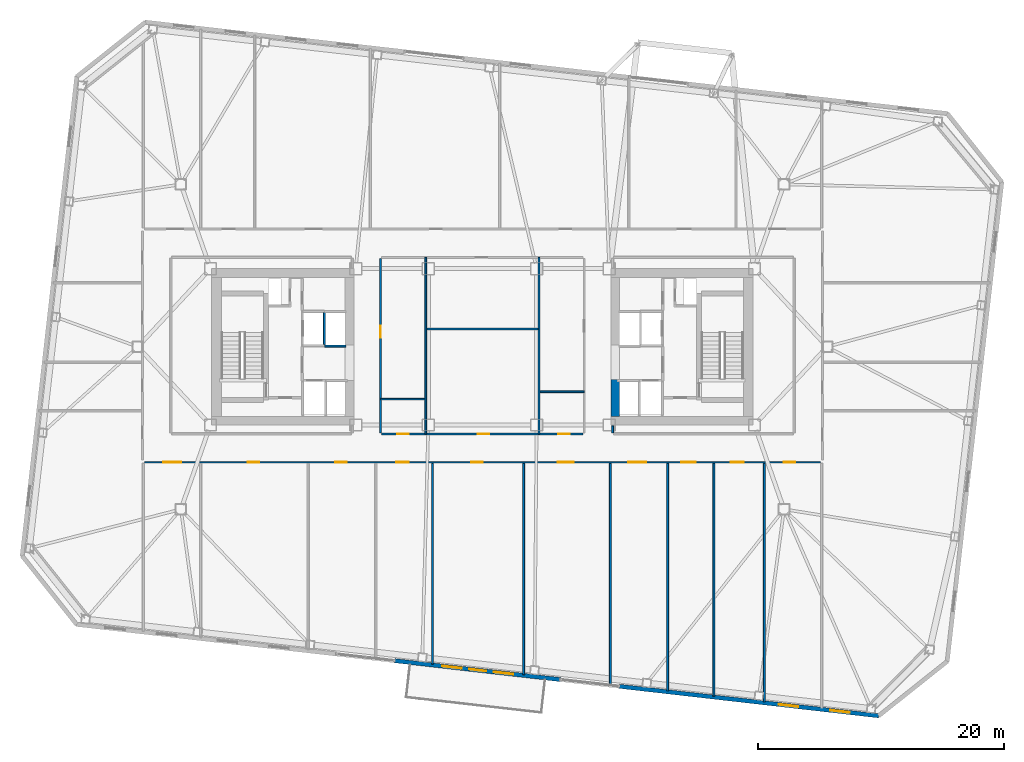
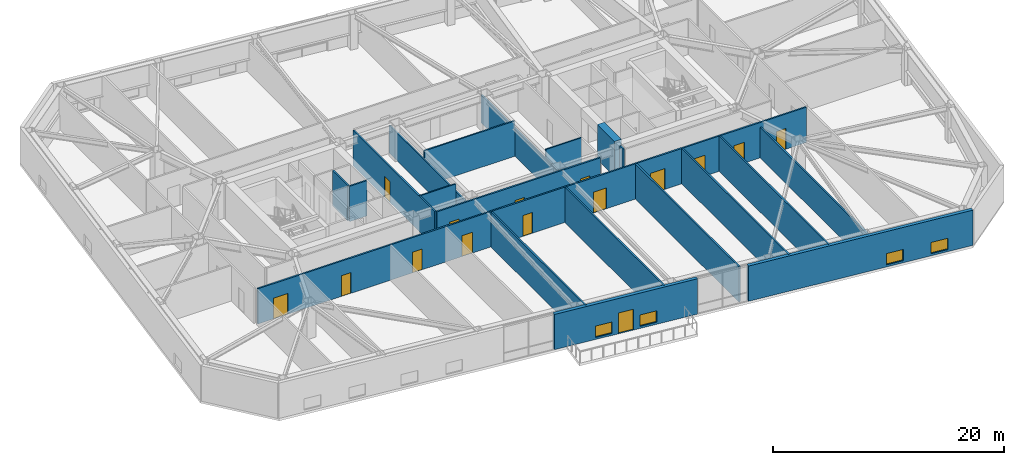
# One storey, part 12 of 21: 20 walls, 15 doors, 4 windows, 19 openings.
"""IFC4 building model written with IfcOpenShell, lengths in metres."""

from ifc_helpers import new_model, si_unit, direction, frame, frame_2d, origin, place, context, subcontext, project, spatial, rectangle, extrude, material, layer, layer_set, type_object, element, fill, save


model = new_model("IFC4")

# Units and contexts
model_context = context("Model", 3, precision=1e-05, world=origin(), true_north=direction((0.0, 1.0)))
body_context = subcontext(model_context, "Body", "Model", "MODEL_VIEW")
ifc_project = project(units=[si_unit("LENGTHUNIT", "METRE"), si_unit("AREAUNIT", "SQUARE_METRE"), si_unit("VOLUMEUNIT", "CUBIC_METRE"), si_unit("PLANEANGLEUNIT", "RADIAN"), si_unit("MASSUNIT", "GRAM", prefix="KILO")], contexts=[model_context])

# Site, building, storey
site_placement = place(None, origin())
site = spatial("IfcSite", under=ifc_project, at=site_placement, CompositionType="ELEMENT")
building_placement = place(site_placement, origin())
building = spatial("IfcBuilding", under=site, at=building_placement, Name="Tavrogorsk Clinical Tower", CompositionType="ELEMENT")
storey_placement = place(building_placement, frame((0.0, 0.0, 109.39990234375)))
storey = spatial("IfcBuildingStorey", under=building, at=storey_placement, Name="L24", CompositionType="ELEMENT", Elevation=109.39990234375)

# Walls
ifc_material_1 = material(Name="Lightweight concrete blockwork B15", Category="masonry")
ifc_layer_1 = layer(ifc_material_1, 0.139892578125)
ifc_layer_set_1 = layer_set([ifc_layer_1], Name="Lightweight concrete blockwork B15")
wall_type_1 = type_object("IfcWallType", Name="PartitionWall_140", PredefinedType="PARTITIONING", material=ifc_layer_set_1)
for number, where, z_axis, x_axis, name in (
    (1, (-4.60009765625, -7.06494140625, 0.0), (0.0, 0.0, 1.0), (0.0, 1.0, 0.0), "L24 Central Spine Partition 1"),
    (2, (4.60009765625, -7.06494140625, 0.0), (0.0, 0.0, 1.0), (0.0, 1.0, 0.0), "L24 Central Spine Partition 2"),
):
    element("IfcWall", number, at=place(storey_placement, frame(where, z_axis=z_axis, x_axis=x_axis)), inside=storey, type_object=wall_type_1, Name=name, PredefinedType="PARTITIONING", context=body_context, shape_type="SweptSolid", body=[
        extrude(rectangle(XDim=14.329833984375, YDim=0.139892578125, at=frame_2d((7.1650390625, 0.0))), origin(), (0.0, 0.0, 1.0), 2.93505859375),
    ])
wall_1_placement = place(storey_placement, frame((-4.52490234375, 1.449951171875, 0.0), z_axis=(0.0, 0.0, 1.0), x_axis=(1.0, 0.0, 0.0)))
element("IfcWall", 3, at=wall_1_placement, inside=storey, type_object=wall_type_1, Name="L24 Central Spine Partition 3", PredefinedType="PARTITIONING", context=body_context, shape_type="SweptSolid", body=[
    extrude(rectangle(XDim=9.0498046875, YDim=0.139892578125, at=frame_2d((4.52490234375, 0.0))), origin(), (0.0, 0.0, 1.0), 3.739990234375),
])
for number, where, z_axis, x_axis, name in (
    (4, (-8.264892578125, -4.25, 0.0), (0.0, 0.0, 1.0), (1.0, 0.0, 0.0), "L24 Central Spine Partition 4"),
    (5, (4.675048828125, -3.64990234375, 0.0), (0.0, 0.0, 1.0), (1.0, 0.0, 0.0), "L24 Central Spine Partition 5"),
):
    element("IfcWall", number, at=place(storey_placement, frame(where, z_axis=z_axis, x_axis=x_axis)), inside=storey, type_object=wall_type_1, Name=name, PredefinedType="PARTITIONING", context=body_context, shape_type="SweptSolid", body=[
        extrude(rectangle(XDim=3.58984375, YDim=0.139892578125, at=frame_2d((1.794921875, 0.0))), origin(), (0.0, 0.0, 1.0), 3.739990234375),
    ])

# Wall, openings, doors
ifc_material_2 = material(Name="Lightweight concrete blockwork B15", Category="masonry")
ifc_layer_2 = layer(ifc_material_2, 0.159912109375)
ifc_layer_set_2 = layer_set([ifc_layer_2], Name="Lightweight concrete blockwork B15")
wall_type_2 = type_object("IfcWallType", Name="PartitionWall_160", PredefinedType="PARTITIONING", material=ifc_layer_set_2)
wall_2_placement = place(storey_placement, frame((27.465087890625, -9.3798828125, 0.0), z_axis=(0.0, 0.0, 1.0), x_axis=(-1.0, 0.0, 0.0)))
wall_2 = element("IfcWall", 6, at=wall_2_placement, inside=storey, type_object=wall_type_2, Name="L24 Corridor Partition 04", PredefinedType="PARTITIONING", context=body_context, shape_type="SweptSolid", body=[
    extrude(rectangle(XDim=54.93017578125, YDim=0.159912109375, at=frame_2d((27.465087890625, 0.0))), origin(), (0.0, 0.0, 1.0), 3.739990234375),
])
opening_1_placement = place(wall_2_placement, frame((51.930908203125, 0.0, 0.0)))
opening_1 = element("IfcOpeningElement", 7, at=opening_1_placement, cuts=wall_2, Name="Opening ID-05", PredefinedType="OPENING", context=body_context, shape_type="SweptSolid", body=[
    extrude(rectangle(XDim=1.449951171875, YDim=2.199951171875, at=frame_2d((0.72509765625, 1.10009765625))), frame((0.0, 0.08984375, 0.0), z_axis=(0.0, -1.0, 0.0), x_axis=(1.0, 0.0, 0.0)), (0.0, 0.0, 1.0), 0.179931640625),
])
opening_2_placement = place(wall_2_placement, frame((45.60498046875, 0.0, 0.0)))
opening_2 = element("IfcOpeningElement", 8, at=opening_2_placement, cuts=wall_2, Name="Opening ID-02", PredefinedType="OPENING", context=body_context, shape_type="SweptSolid", body=[
    extrude(rectangle(XDim=0.949951171875, YDim=2.199951171875, at=frame_2d((0.47509765625, 1.10009765625))), frame((0.0, 0.08984375, 0.0), z_axis=(0.0, -1.0, 0.0), x_axis=(1.0, 0.0, 0.0)), (0.0, 0.0, 1.0), 0.179931640625),
])
opening_3_placement = place(wall_2_placement, frame((38.485107421875, 0.0, 0.0)))
opening_3 = element("IfcOpeningElement", 9, at=opening_3_placement, cuts=wall_2, Name="Opening ID-02", PredefinedType="OPENING", context=body_context, shape_type="SweptSolid", body=[
    extrude(rectangle(XDim=0.949951171875, YDim=2.199951171875, at=frame_2d((0.47509765625, 1.10009765625))), frame((0.0, 0.08984375, 0.0), z_axis=(0.0, -1.0, 0.0), x_axis=(1.0, 0.0, 0.0)), (0.0, 0.0, 1.0), 0.179931640625),
])
opening_4_placement = place(wall_2_placement, frame((33.43505859375, 0.0, 0.0)))
opening_4 = element("IfcOpeningElement", 10, at=opening_4_placement, cuts=wall_2, Name="Opening ID-04", PredefinedType="OPENING", context=body_context, shape_type="SweptSolid", body=[
    extrude(rectangle(XDim=1.050048828125, YDim=2.199951171875, at=frame_2d((0.52490234375, 1.10009765625))), frame((0.0, 0.08984375, 0.0), z_axis=(0.0, -1.0, 0.0), x_axis=(1.0, 0.0, 0.0)), (0.0, 0.0, 1.0), 0.179931640625),
])
opening_5_placement = place(wall_2_placement, frame((27.43505859375, 0.0, 0.0)))
opening_5 = element("IfcOpeningElement", 11, at=opening_5_placement, cuts=wall_2, Name="Opening ID-02", PredefinedType="OPENING", context=body_context, shape_type="SweptSolid", body=[
    extrude(rectangle(XDim=0.949951171875, YDim=2.199951171875, at=frame_2d((0.47509765625, 1.10009765625))), frame((0.0, 0.08984375, 0.0), z_axis=(0.0, -1.0, 0.0), x_axis=(1.0, 0.0, 0.0)), (0.0, 0.0, 1.0), 0.179931640625),
])
opening_6_placement = place(wall_2_placement, frame((20.030029296875, 0.0, 0.0)))
opening_6 = element("IfcOpeningElement", 12, at=opening_6_placement, cuts=wall_2, Name="Opening ID-01", PredefinedType="OPENING", context=body_context, shape_type="SweptSolid", body=[
    extrude(rectangle(XDim=1.300048828125, YDim=2.199951171875, at=frame_2d((0.64990234375, 1.10009765625))), frame((0.0, 0.08984375, 0.0), z_axis=(0.0, -1.0, 0.0), x_axis=(1.0, 0.0, 0.0)), (0.0, 0.0, 1.0), 0.179931640625),
])
opening_7_placement = place(wall_2_placement, frame((14.175048828125, 0.0, 0.0)))
opening_7 = element("IfcOpeningElement", 13, at=opening_7_placement, cuts=wall_2, Name="Opening ID-05", PredefinedType="OPENING", context=body_context, shape_type="SweptSolid", body=[
    extrude(rectangle(XDim=1.449951171875, YDim=2.199951171875, at=frame_2d((0.72509765625, 1.10009765625))), frame((0.0, 0.08984375, 0.0), z_axis=(0.0, -1.0, 0.0), x_axis=(1.0, 0.0, 0.0)), (0.0, 0.0, 1.0), 0.179931640625),
])
opening_8_placement = place(wall_2_placement, frame((10.14990234375, 0.0, 0.0)))
opening_8 = element("IfcOpeningElement", 14, at=opening_8_placement, cuts=wall_2, Name="Opening ID-06", PredefinedType="OPENING", context=body_context, shape_type="SweptSolid", body=[
    extrude(rectangle(XDim=1.14990234375, YDim=2.199951171875, at=frame_2d((0.574951171875, 1.10009765625))), frame((0.0, 0.08984375, 0.0), z_axis=(0.0, -1.0, 0.0), x_axis=(1.0, 0.0, 0.0)), (0.0, 0.0, 1.0), 0.179931640625),
])
opening_9_placement = place(wall_2_placement, frame((6.22509765625, 0.0, 0.0)))
opening_9 = element("IfcOpeningElement", 15, at=opening_9_placement, cuts=wall_2, Name="Opening ID-04", PredefinedType="OPENING", context=body_context, shape_type="SweptSolid", body=[
    extrude(rectangle(XDim=1.050048828125, YDim=2.199951171875, at=frame_2d((0.52490234375, 1.10009765625))), frame((0.0, 0.08984375, 0.0), z_axis=(0.0, -1.0, 0.0), x_axis=(1.0, 0.0, 0.0)), (0.0, 0.0, 1.0), 0.179931640625),
])
opening_10_placement = place(wall_2_placement, frame((2.044189453125, 0.0, 0.0)))
opening_10 = element("IfcOpeningElement", 16, at=opening_10_placement, cuts=wall_2, Name="Opening ID-02", PredefinedType="OPENING", context=body_context, shape_type="SweptSolid", body=[
    extrude(rectangle(XDim=0.949951171875, YDim=2.199951171875, at=frame_2d((0.47509765625, 1.10009765625))), frame((0.0, 0.08984375, 0.0), z_axis=(0.0, -1.0, 0.0), x_axis=(1.0, 0.0, 0.0)), (0.0, 0.0, 1.0), 0.179931640625),
])
ifc_material_3 = material(Name="Antibacterial HPL consultation door on aluminium frame", Category="aluminium")
door_type_1 = type_object("IfcDoorType", Name="ConsultDoor_ID04_1050", OperationType="NOTDEFINED", PredefinedType="DOOR", material=ifc_material_3)
door_1_placement = place(opening_4_placement, origin())
door_1 = element("IfcDoor", 17, at=door_1_placement, inside=storey, type_object=door_type_1, Name="L24 South Cardiology Diagnostics Room 03B Door", OperationType="SINGLE_SWING_LEFT", OverallHeight=2.199951171875, OverallWidth=1.050048828125, PredefinedType="DOOR", context=body_context, shape_type="SweptSolid", body=[
    extrude(rectangle(XDim=1.050048828125, YDim=2.199951171875, at=frame_2d((0.52490234375, 1.10009765625))), frame((0.0, 0.02490234375, 0.0), z_axis=(0.0, -1.0, 0.0), x_axis=(1.0, 0.0, 0.0)), (0.0, 0.0, 1.0), 0.050048828125),
])
fill(opening_4, door_1)
door_2_placement = place(opening_9_placement, origin())
door_2 = element("IfcDoor", 18, at=door_2_placement, inside=storey, type_object=door_type_1, Name="L24 South Soiled Utility & Sluice Room 07 Door", OperationType="SINGLE_SWING_RIGHT", OverallHeight=2.199951171875, OverallWidth=1.050048828125, PredefinedType="DOOR", context=body_context, shape_type="SweptSolid", body=[
    extrude(rectangle(XDim=1.050048828125, YDim=2.199951171875, at=frame_2d((0.52490234375, 1.10009765625))), frame((0.0, 0.02490234375, 0.0), z_axis=(0.0, -1.0, 0.0), x_axis=(1.0, 0.0, 0.0)), (0.0, 0.0, 1.0), 0.050048828125),
])
fill(opening_9, door_2)
ifc_material_4 = material(Name="Antibacterial HPL bariatric ward double door")
door_type_2 = type_object("IfcDoorType", Name="DoubleWardDoor_ID05_1450", OperationType="DOUBLE_SWING_LEFT", PredefinedType="DOOR", material=ifc_material_4)
door_3_placement = place(opening_1_placement, origin())
door_3 = element("IfcDoor", 19, at=door_3_placement, inside=storey, type_object=door_type_2, Name="L24 South Surgical Step-Down Ward 01 Door", OperationType="DOUBLE_SWING_LEFT", OverallHeight=2.199951171875, OverallWidth=1.449951171875, PredefinedType="DOOR", context=body_context, shape_type="SweptSolid", body=[
    extrude(rectangle(XDim=1.449951171875, YDim=2.199951171875, at=frame_2d((0.72509765625, 1.10009765625))), frame((0.0, 0.02490234375, 0.0), z_axis=(0.0, -1.0, 0.0), x_axis=(1.0, 0.0, 0.0)), (0.0, 0.0, 1.0), 0.050048828125),
])
fill(opening_1, door_3)
door_4_placement = place(opening_7_placement, origin())
door_4 = element("IfcDoor", 20, at=door_4_placement, inside=storey, type_object=door_type_2, Name="L24 South Surgical Step-Down Ward 06A Door", OperationType="DOUBLE_SWING_LEFT", OverallHeight=2.199951171875, OverallWidth=1.449951171875, PredefinedType="DOOR", context=body_context, shape_type="SweptSolid", body=[
    extrude(rectangle(XDim=1.449951171875, YDim=2.199951171875, at=frame_2d((0.72509765625, 1.10009765625))), frame((0.0, 0.02490234375, 0.0), z_axis=(0.0, -1.0, 0.0), x_axis=(1.0, 0.0, 0.0)), (0.0, 0.0, 1.0), 0.050048828125),
])
fill(opening_7, door_4)
ifc_material_5 = material(Name="Laminated timber leaf on aluminium frame", Category="wood")
door_type_3 = type_object("IfcDoorType", Name="InteriorDoor_ID02_950", OperationType="NOTDEFINED", PredefinedType="DOOR", material=ifc_material_5)
door_5_placement = place(opening_2_placement, origin())
door_5 = element("IfcDoor", 21, at=door_5_placement, inside=storey, type_object=door_type_3, Name="L24 South Soiled Utility & Sluice Room 02 Door", OperationType="SINGLE_SWING_LEFT", OverallHeight=2.199951171875, OverallWidth=0.949951171875, PredefinedType="DOOR", context=body_context, shape_type="SweptSolid", body=[
    extrude(rectangle(XDim=0.949951171875, YDim=2.199951171875, at=frame_2d((0.47509765625, 1.10009765625))), frame((0.0, 0.02490234375, 0.0), z_axis=(0.0, -1.0, 0.0), x_axis=(1.0, 0.0, 0.0)), (0.0, 0.0, 1.0), 0.050048828125),
])
fill(opening_2, door_5)
door_6_placement = place(opening_3_placement, origin())
door_6 = element("IfcDoor", 22, at=door_6_placement, inside=storey, type_object=door_type_3, Name="L24 South Clinical Case Seminar Room 03A Door", OperationType="SINGLE_SWING_RIGHT", OverallHeight=2.199951171875, OverallWidth=0.949951171875, PredefinedType="DOOR", context=body_context, shape_type="SweptSolid", body=[
    extrude(rectangle(XDim=0.949951171875, YDim=2.199951171875, at=frame_2d((0.47509765625, 1.10009765625))), frame((0.0, 0.02490234375, 0.0), z_axis=(0.0, -1.0, 0.0), x_axis=(1.0, 0.0, 0.0)), (0.0, 0.0, 1.0), 0.050048828125),
])
fill(opening_3, door_6)
door_7_placement = place(opening_5_placement, origin())
door_7 = element("IfcDoor", 23, at=door_7_placement, inside=storey, type_object=door_type_3, Name="L24 Terrace Recuperation Day Room & Lounge Door", OperationType="SINGLE_SWING_RIGHT", OverallHeight=2.199951171875, OverallWidth=0.949951171875, PredefinedType="DOOR", context=body_context, shape_type="SweptSolid", body=[
    extrude(rectangle(XDim=0.949951171875, YDim=2.199951171875, at=frame_2d((0.47509765625, 1.10009765625))), frame((0.0, 0.02490234375, 0.0), z_axis=(0.0, -1.0, 0.0), x_axis=(1.0, 0.0, 0.0)), (0.0, 0.0, 1.0), 0.050048828125),
])
fill(opening_5, door_7)
door_8_placement = place(opening_10_placement, origin())
door_8 = element("IfcDoor", 24, at=door_8_placement, inside=storey, type_object=door_type_3, Name="L24 South Clinical Case Seminar Room 08 Door", OperationType="SINGLE_SWING_LEFT", OverallHeight=2.199951171875, OverallWidth=0.949951171875, PredefinedType="DOOR", context=body_context, shape_type="SweptSolid", body=[
    extrude(rectangle(XDim=0.949951171875, YDim=2.199951171875, at=frame_2d((0.47509765625, 1.10009765625))), frame((0.0, 0.02490234375, 0.0), z_axis=(0.0, -1.0, 0.0), x_axis=(1.0, 0.0, 0.0)), (0.0, 0.0, 1.0), 0.050048828125),
])
fill(opening_10, door_8)
ifc_material_6 = material(Name="Antibacterial HPL procedure door on aluminium frame", Category="aluminium")
door_type_4 = type_object("IfcDoorType", Name="LabDoor_ID06_1150", OperationType="NOTDEFINED", PredefinedType="DOOR", material=ifc_material_6)
door_9_placement = place(opening_8_placement, origin())
door_9 = element("IfcDoor", 25, at=door_9_placement, inside=storey, type_object=door_type_4, Name="L24 South Clean Medication & Prep Room 06B Door", OperationType="SINGLE_SWING_LEFT", OverallHeight=2.199951171875, OverallWidth=1.14990234375, PredefinedType="DOOR", context=body_context, shape_type="SweptSolid", body=[
    extrude(rectangle(XDim=1.14990234375, YDim=2.199951171875, at=frame_2d((0.574951171875, 1.10009765625))), frame((0.0, 0.02490234375, 0.0), z_axis=(0.0, -1.0, 0.0), x_axis=(1.0, 0.0, 0.0)), (0.0, 0.0, 1.0), 0.050048828125),
])
fill(opening_8, door_9)
ifc_material_7 = material(Name="Antibacterial HPL medical leaf on aluminium frame", Category="aluminium")
door_type_5 = type_object("IfcDoorType", Name="WardBedDoor_ID01_1300", OperationType="NOTDEFINED", PredefinedType="DOOR", material=ifc_material_7)
door_10_placement = place(opening_6_placement, origin())
door_10 = element("IfcDoor", 26, at=door_10_placement, inside=storey, type_object=door_type_5, Name="L24 South Bariatric Observation Ward 05 Door", OperationType="SINGLE_SWING_LEFT", OverallHeight=2.199951171875, OverallWidth=1.300048828125, PredefinedType="DOOR", context=body_context, shape_type="SweptSolid", body=[
    extrude(rectangle(XDim=1.300048828125, YDim=2.199951171875, at=frame_2d((0.64990234375, 1.10009765625))), frame((0.0, 0.02490234375, 0.0), z_axis=(0.0, -1.0, 0.0), x_axis=(1.0, 0.0, 0.0)), (0.0, 0.0, 1.0), 0.050048828125),
])
fill(opening_6, door_10)

# Wall
wall_3_placement = place(storey_placement, frame((10.580078125, -6.419921875, 0.0), z_axis=(0.0, 0.0, 1.0), x_axis=(0.0, -1.0, 0.0)))
element("IfcWall", 27, at=wall_3_placement, inside=storey, type_object=wall_type_2, Name="L24 Corridor Partition 07", PredefinedType="PARTITIONING", context=body_context, shape_type="SweptSolid", body=[
    extrude(rectangle(XDim=0.565185546875, YDim=0.159912109375, at=frame_2d((0.28271484375, 0.0))), origin(), (0.0, 0.0, 1.0), 3.739990234375),
])

# Wall, opening, door
wall_4_placement = place(storey_placement, frame((-8.27001953125, 7.18505859375, 0.0), z_axis=(0.0, 0.0, 1.0), x_axis=(0.0, -1.0, 0.0)))
wall_4 = element("IfcWall", 28, at=wall_4_placement, inside=storey, type_object=wall_type_2, Name="L24 Corridor Partition 12", PredefinedType="PARTITIONING", context=body_context, shape_type="SweptSolid", body=[
    extrude(rectangle(XDim=14.170166015625, YDim=0.159912109375, at=frame_2d((7.0849609375, 0.0))), origin(), (0.0, 0.0, 1.0), 3.739990234375),
])
opening_11_placement = place(wall_4_placement, frame((5.47900390625, 0.0, 0.0)))
opening_11 = element("IfcOpeningElement", 29, at=opening_11_placement, cuts=wall_4, Name="Opening ID-02", PredefinedType="OPENING", context=body_context, shape_type="SweptSolid", body=[
    extrude(rectangle(XDim=0.949951171875, YDim=2.199951171875, at=frame_2d((0.47509765625, 1.10009765625))), frame((0.0, 0.08984375, 0.0), z_axis=(0.0, -1.0, 0.0), x_axis=(1.0, 0.0, 0.0)), (0.0, 0.0, 1.0), 0.179931640625),
])
door_11_placement = place(opening_11_placement, origin())
door_11 = element("IfcDoor", 30, at=door_11_placement, inside=storey, type_object=door_type_3, Name="L24 Ward Nourishment Pantry Door", OperationType="SINGLE_SWING_LEFT", OverallHeight=2.199951171875, OverallWidth=0.949951171875, PredefinedType="DOOR", context=body_context, shape_type="SweptSolid", body=[
    extrude(rectangle(XDim=0.949951171875, YDim=2.199951171875, at=frame_2d((0.47509765625, 1.10009765625))), frame((0.0, 0.02490234375, 0.0), z_axis=(0.0, -1.0, 0.0), x_axis=(1.0, 0.0, 0.0)), (0.0, 0.0, 1.0), 0.050048828125),
])
fill(opening_11, door_11)

# Wall, openings, doors
wall_5_placement = place(storey_placement, frame((-8.18505859375, -7.070068359375, 0.0), z_axis=(0.0, 0.0, 1.0), x_axis=(1.0, 0.0, 0.0)))
wall_5 = element("IfcWall", 31, at=wall_5_placement, inside=storey, type_object=wall_type_2, Name="L24 Corridor Partition 13", PredefinedType="PARTITIONING", context=body_context, shape_type="SweptSolid", body=[
    extrude(rectangle(XDim=16.3701171875, YDim=0.159912109375, at=frame_2d((8.18505859375, 0.0))), origin(), (0.0, 0.0, 1.0), 3.739990234375),
])
opening_12_placement = place(wall_5_placement, frame((1.254150390625, 0.0, 0.0)))
opening_12 = element("IfcOpeningElement", 32, at=opening_12_placement, cuts=wall_5, Name="Opening ID-02", PredefinedType="OPENING", context=body_context, shape_type="SweptSolid", body=[
    extrude(rectangle(XDim=0.949951171875, YDim=2.199951171875, at=frame_2d((0.47509765625, 1.10009765625))), frame((0.0, 0.08984375, 0.0), z_axis=(0.0, -1.0, 0.0), x_axis=(1.0, 0.0, 0.0)), (0.0, 0.0, 1.0), 0.179931640625),
])
opening_13_placement = place(wall_5_placement, frame((7.794921875, 0.0, 0.0)))
opening_13 = element("IfcOpeningElement", 33, at=opening_13_placement, cuts=wall_5, Name="Opening ID-02", PredefinedType="OPENING", context=body_context, shape_type="SweptSolid", body=[
    extrude(rectangle(XDim=0.949951171875, YDim=2.199951171875, at=frame_2d((0.47509765625, 1.10009765625))), frame((0.0, 0.08984375, 0.0), z_axis=(0.0, -1.0, 0.0), x_axis=(1.0, 0.0, 0.0)), (0.0, 0.0, 1.0), 0.179931640625),
])
opening_14_placement = place(wall_5_placement, frame((14.3359375, 0.0, 0.0)))
opening_14 = element("IfcOpeningElement", 34, at=opening_14_placement, cuts=wall_5, Name="Opening ID-02", PredefinedType="OPENING", context=body_context, shape_type="SweptSolid", body=[
    extrude(rectangle(XDim=0.949951171875, YDim=2.199951171875, at=frame_2d((0.47509765625, 1.10009765625))), frame((0.0, 0.08984375, 0.0), z_axis=(0.0, -1.0, 0.0), x_axis=(1.0, 0.0, 0.0)), (0.0, 0.0, 1.0), 0.179931640625),
])
door_12_placement = place(opening_12_placement, origin())
door_12 = element("IfcDoor", 35, at=door_12_placement, inside=storey, type_object=door_type_3, Name="L24 Accessible Patient Lavatory Door", OperationType="SINGLE_SWING_RIGHT", OverallHeight=2.199951171875, OverallWidth=0.949951171875, PredefinedType="DOOR", context=body_context, shape_type="SweptSolid", body=[
    extrude(rectangle(XDim=0.949951171875, YDim=2.199951171875, at=frame_2d((0.47509765625, 1.10009765625))), frame((0.0, 0.02490234375, 0.0), z_axis=(0.0, -1.0, 0.0), x_axis=(1.0, 0.0, 0.0)), (0.0, 0.0, 1.0), 0.050048828125),
])
fill(opening_12, door_12)
door_13_placement = place(opening_13_placement, origin())
door_13 = element("IfcDoor", 36, at=door_13_placement, inside=storey, type_object=door_type_3, Name="L24 Multidisciplinary Conference Room Door", OperationType="SINGLE_SWING_RIGHT", OverallHeight=2.199951171875, OverallWidth=0.949951171875, PredefinedType="DOOR", context=body_context, shape_type="SweptSolid", body=[
    extrude(rectangle(XDim=0.949951171875, YDim=2.199951171875, at=frame_2d((0.47509765625, 1.10009765625))), frame((0.0, 0.02490234375, 0.0), z_axis=(0.0, -1.0, 0.0), x_axis=(1.0, 0.0, 0.0)), (0.0, 0.0, 1.0), 0.050048828125),
])
fill(opening_13, door_13)
door_14_placement = place(opening_14_placement, origin())
door_14 = element("IfcDoor", 37, at=door_14_placement, inside=storey, type_object=door_type_3, Name="L24 Staff & Visitor Accessible WC Door", OperationType="SINGLE_SWING_RIGHT", OverallHeight=2.199951171875, OverallWidth=0.949951171875, PredefinedType="DOOR", context=body_context, shape_type="SweptSolid", body=[
    extrude(rectangle(XDim=0.949951171875, YDim=2.199951171875, at=frame_2d((0.47509765625, 1.10009765625))), frame((0.0, 0.02490234375, 0.0), z_axis=(0.0, -1.0, 0.0), x_axis=(1.0, 0.0, 0.0)), (0.0, 0.0, 1.0), 0.050048828125),
])
fill(opening_14, door_14)

# Walls
wall_6_placement = place(storey_placement, frame((-4.06005859375, -25.782958984375, 0.0), z_axis=(0.0, 0.0, 1.0), x_axis=(0.0, 1.0, 0.0)))
element("IfcWall", 38, at=wall_6_placement, inside=storey, type_object=wall_type_2, Name="L24 South Room Partition 3", PredefinedType="PARTITIONING", context=body_context, shape_type="SweptSolid", body=[
    extrude(rectangle(XDim=16.31787109375, YDim=0.159912109375, at=frame_2d((8.158935546875, 0.0))), origin(), (0.0, 0.0, 1.0), 3.739990234375),
])
wall_7_placement = place(storey_placement, frame((3.340087890625, -26.6259765625, 0.0), z_axis=(0.0, 0.0, 1.0), x_axis=(0.0, 1.0, 0.0)))
element("IfcWall", 39, at=wall_7_placement, inside=storey, type_object=wall_type_2, Name="L24 South Room Partition 4", PredefinedType="PARTITIONING", context=body_context, shape_type="SweptSolid", body=[
    extrude(rectangle(XDim=17.160888671875, YDim=0.159912109375, at=frame_2d((8.58056640625, 0.0))), origin(), (0.0, 0.0, 1.0), 3.739990234375),
])
wall_8_placement = place(storey_placement, frame((10.39990234375, -27.430419921875, 0.0), z_axis=(0.0, 0.0, 1.0), x_axis=(0.0, 1.0, 0.0)))
element("IfcWall", 40, at=wall_8_placement, inside=storey, type_object=wall_type_2, Name="L24 South Room Partition 5", PredefinedType="PARTITIONING", context=body_context, shape_type="SweptSolid", body=[
    extrude(rectangle(XDim=17.96533203125, YDim=0.159912109375, at=frame_2d((8.982666015625, 0.0))), origin(), (0.0, 0.0, 1.0), 3.739990234375),
])
wall_9_placement = place(storey_placement, frame((18.800048828125, -28.387451171875, 0.0), z_axis=(0.0, 0.0, 1.0), x_axis=(0.0, 1.0, 0.0)))
element("IfcWall", 41, at=wall_9_placement, inside=storey, type_object=wall_type_2, Name="L24 South Room Partition 6", PredefinedType="PARTITIONING", context=body_context, shape_type="SweptSolid", body=[
    extrude(rectangle(XDim=18.92236328125, YDim=0.159912109375, at=frame_2d((9.461181640625, 0.0))), origin(), (0.0, 0.0, 1.0), 3.739990234375),
])
wall_10_placement = place(storey_placement, frame((22.89990234375, -28.8544921875, 0.0), z_axis=(0.0, 0.0, 1.0), x_axis=(0.0, 1.0, 0.0)))
element("IfcWall", 42, at=wall_10_placement, inside=storey, type_object=wall_type_2, Name="L24 South Room Partition 7", PredefinedType="PARTITIONING", context=body_context, shape_type="SweptSolid", body=[
    extrude(rectangle(XDim=19.389404296875, YDim=0.159912109375, at=frame_2d((9.69482421875, 0.0))), origin(), (0.0, 0.0, 1.0), 3.235107421875),
])
wall_11_placement = place(storey_placement, frame((15.050048828125, -27.960205078125, 0.0), z_axis=(0.0, 0.0, 1.0), x_axis=(0.0, 1.0, 0.0)))
element("IfcWall", 43, at=wall_11_placement, inside=storey, type_object=wall_type_2, Name="L24 South Sub-Partition 6", PredefinedType="PARTITIONING", context=body_context, shape_type="SweptSolid", body=[
    extrude(rectangle(XDim=18.4951171875, YDim=0.159912109375, at=frame_2d((9.24755859375, 0.0))), origin(), (0.0, 0.0, 1.0), 3.739990234375),
])

# Wall, openings, windows, door
ifc_material_8 = material(Name="Precast concrete B45 with limestone cladding", Category="masonry")
ifc_layer_3 = layer(ifc_material_8, 0.340087890625)
ifc_layer_set_3 = layer_set([ifc_layer_3], Name="Precast concrete B45 with limestone cladding")
wall_type_3 = type_object("IfcWallType", Name="PrecastLimestoneWall_340", PredefinedType="STANDARD", material=ifc_layer_set_3)
wall_12_placement = place(storey_placement, frame((-7.121826171875, -25.50439453125, 0.0), z_axis=(0.0, 0.0, 1.0), x_axis=(0.993571685551, -0.11320470693, 0.0)))
wall_12 = element("IfcWall", 44, at=wall_12_placement, inside=storey, type_object=wall_type_3, Name="L24 S Limestone Facade Wall 2", PredefinedType="STANDARD", context=body_context, shape_type="SweptSolid", body=[
    extrude(rectangle(XDim=13.554443359375, YDim=0.340087890625, at=frame_2d((6.77734375, 0.0))), origin(), (0.0, 0.0, 1.0), 3.739990234375),
])
opening_15_placement = place(wall_12_placement, frame((6.0771484375, 0.0, 0.0)))
opening_15 = element("IfcOpeningElement", 45, at=opening_15_placement, cuts=wall_12, Name="Opening ED-03", PredefinedType="OPENING", context=body_context, shape_type="SweptSolid", body=[
    extrude(rectangle(XDim=1.39990234375, YDim=2.199951171875, at=frame_2d((0.699951171875, 1.10009765625))), frame((0.0, 0.179931640625, 0.0), z_axis=(0.0, -1.0, 0.0), x_axis=(1.0, 0.0, 0.0)), (0.0, 0.0, 1.0), 0.360107421875),
])
opening_16_placement = place(wall_12_placement, frame((3.866455078125, 0.0, 0.219970703125)))
opening_16 = element("IfcOpeningElement", 46, at=opening_16_placement, cuts=wall_12, Name="Opening WN-09", PredefinedType="OPENING", context=body_context, shape_type="SweptSolid", body=[
    extrude(rectangle(XDim=1.60009765625, YDim=1.199951171875, at=frame_2d((0.800048828125, 0.60009765625))), frame((0.0, 0.179931640625, 0.0), z_axis=(0.0, -1.0, 0.0), x_axis=(1.0, 0.0, 0.0)), (0.0, 0.0, 1.0), 0.360107421875),
])
opening_17_placement = place(wall_12_placement, frame((8.087890625, 0.0, 0.219970703125)))
opening_17 = element("IfcOpeningElement", 47, at=opening_17_placement, cuts=wall_12, Name="Opening WN-09", PredefinedType="OPENING", context=body_context, shape_type="SweptSolid", body=[
    extrude(rectangle(XDim=1.60009765625, YDim=1.199951171875, at=frame_2d((0.800048828125, 0.60009765625))), frame((0.0, 0.179931640625, 0.0), z_axis=(0.0, -1.0, 0.0), x_axis=(1.0, 0.0, 0.0)), (0.0, 0.0, 1.0), 0.360107421875),
])
ifc_material_9 = material(Name="Thermally broken aluminium frame and triple IGU", Category="aluminium")
window_type = type_object("IfcWindowType", Name="LowHeadTransWin_1600x1200", PartitioningType="DOUBLE_PANEL_VERTICAL", PredefinedType="WINDOW", material=ifc_material_9)
window_1_placement = place(opening_16_placement, origin())
window_1 = element("IfcWindow", 48, at=window_1_placement, inside=storey, type_object=window_type, Name="L24 S Chicago Window 05", OverallHeight=1.199951171875, OverallWidth=1.60009765625, PartitioningType="SINGLE_PANEL", PredefinedType="WINDOW", context=body_context, shape_type="SweptSolid", body=[
    extrude(rectangle(XDim=1.60009765625, YDim=1.199951171875, at=frame_2d((0.800048828125, 0.60009765625))), frame((0.0, 0.030029296875, 0.0), z_axis=(0.0, -1.0, 0.0), x_axis=(1.0, 0.0, 0.0)), (0.0, 0.0, 1.0), 0.06005859375),
])
fill(opening_16, window_1)
window_2_placement = place(opening_17_placement, origin())
window_2 = element("IfcWindow", 49, at=window_2_placement, inside=storey, type_object=window_type, Name="L24 S Chicago Window 06", OverallHeight=1.199951171875, OverallWidth=1.60009765625, PartitioningType="SINGLE_PANEL", PredefinedType="WINDOW", context=body_context, shape_type="SweptSolid", body=[
    extrude(rectangle(XDim=1.60009765625, YDim=1.199951171875, at=frame_2d((0.800048828125, 0.60009765625))), frame((0.0, 0.030029296875, 0.0), z_axis=(0.0, -1.0, 0.0), x_axis=(1.0, 0.0, 0.0)), (0.0, 0.0, 1.0), 0.06005859375),
])
fill(opening_17, window_2)
ifc_material_10 = material(Name="Thermally broken aluminium and laminated safety glass", Category="aluminium")
door_type_6 = type_object("IfcDoorType", Name="TerraceGlassDoor_ED03_1400", OperationType="DOUBLE_SWING_LEFT", PredefinedType="DOOR", material=ifc_material_10)
door_15_placement = place(opening_15_placement, origin())
door_15 = element("IfcDoor", 50, at=door_15_placement, inside=storey, type_object=door_type_6, Name="L24 Spiralling Recuperation Terrace Door ED-03", OperationType="DOUBLE_SWING_LEFT", OverallHeight=2.199951171875, OverallWidth=1.39990234375, PredefinedType="DOOR", context=body_context, shape_type="SweptSolid", body=[
    extrude(rectangle(XDim=1.39990234375, YDim=2.199951171875, at=frame_2d((0.699951171875, 1.10009765625))), frame((0.0, 0.02490234375, 0.0), z_axis=(0.0, -1.0, 0.0), x_axis=(1.0, 0.0, 0.0)), (0.0, 0.0, 1.0), 0.050048828125),
])
fill(opening_15, door_15)

# Wall, openings, windows
wall_13_placement = place(storey_placement, frame((11.114501953125, -27.582275390625, 0.0), z_axis=(0.0, 0.0, 1.0), x_axis=(0.993572655904, -0.113196190044, 0.0)))
wall_13 = element("IfcWall", 51, at=wall_13_placement, inside=storey, type_object=wall_type_3, Name="L24 S Limestone Facade Wall 3", PredefinedType="STANDARD", context=body_context, shape_type="SweptSolid", body=[
    extrude(rectangle(XDim=21.222900390625, YDim=0.340087890625, at=frame_2d((10.611328125, 0.0))), origin(), (0.0, 0.0, 1.0), 3.739990234375),
])
opening_18_placement = place(wall_13_placement, frame((13.043701171875, 0.0, 0.219970703125)))
opening_18 = element("IfcOpeningElement", 52, at=opening_18_placement, cuts=wall_13, Name="Opening WN-09", PredefinedType="OPENING", context=body_context, shape_type="SweptSolid", body=[
    extrude(rectangle(XDim=1.60009765625, YDim=1.199951171875, at=frame_2d((0.800048828125, 0.60009765625))), frame((0.0, 0.179931640625, 0.0), z_axis=(0.0, -1.0, 0.0), x_axis=(1.0, 0.0, 0.0)), (0.0, 0.0, 1.0), 0.360107421875),
])
opening_19_placement = place(wall_13_placement, frame((17.264892578125, 0.0, 0.219970703125)))
opening_19 = element("IfcOpeningElement", 53, at=opening_19_placement, cuts=wall_13, Name="Opening WN-09", PredefinedType="OPENING", context=body_context, shape_type="SweptSolid", body=[
    extrude(rectangle(XDim=1.60009765625, YDim=1.199951171875, at=frame_2d((0.800048828125, 0.60009765625))), frame((0.0, 0.179931640625, 0.0), z_axis=(0.0, -1.0, 0.0), x_axis=(1.0, 0.0, 0.0)), (0.0, 0.0, 1.0), 0.360107421875),
])
window_3_placement = place(opening_18_placement, origin())
window_3 = element("IfcWindow", 54, at=window_3_placement, inside=storey, type_object=window_type, Name="L24 S Chicago Window 09", OverallHeight=1.199951171875, OverallWidth=1.60009765625, PartitioningType="SINGLE_PANEL", PredefinedType="WINDOW", context=body_context, shape_type="SweptSolid", body=[
    extrude(rectangle(XDim=1.60009765625, YDim=1.199951171875, at=frame_2d((0.800048828125, 0.60009765625))), frame((0.0, 0.030029296875, 0.0), z_axis=(0.0, -1.0, 0.0), x_axis=(1.0, 0.0, 0.0)), (0.0, 0.0, 1.0), 0.06005859375),
])
fill(opening_18, window_3)
window_4_placement = place(opening_19_placement, origin())
window_4 = element("IfcWindow", 55, at=window_4_placement, inside=storey, type_object=window_type, Name="L24 S Chicago Window 10", OverallHeight=1.199951171875, OverallWidth=1.60009765625, PartitioningType="SINGLE_PANEL", PredefinedType="WINDOW", context=body_context, shape_type="SweptSolid", body=[
    extrude(rectangle(XDim=1.60009765625, YDim=1.199951171875, at=frame_2d((0.800048828125, 0.60009765625))), frame((0.0, 0.030029296875, 0.0), z_axis=(0.0, -1.0, 0.0), x_axis=(1.0, 0.0, 0.0)), (0.0, 0.0, 1.0), 0.06005859375),
])
fill(opening_19, window_4)

# Walls
ifc_material_11 = material(Name="Lightweight concrete blockwork B25", Category="masonry")
ifc_layer_4 = layer(ifc_material_11, 0.159912109375)
ifc_layer_set_4 = layer_set([ifc_layer_4], Name="Lightweight concrete blockwork B25")
wall_type_4 = type_object("IfcWallType", Name="ShaftWall_160", PredefinedType="PARTITIONING", material=ifc_layer_set_4)
wall_14_placement = place(storey_placement, frame((-12.840087890625, 0.179931640625, 0.0), z_axis=(0.0, 0.0, 1.0), x_axis=(0.0, 1.0, 0.0)))
element("IfcWall", 56, at=wall_14_placement, inside=storey, type_object=wall_type_4, Name="L24 FFL-W Shaft Back Wall", PredefinedType="PARTITIONING", context=body_context, shape_type="SweptSolid", body=[
    extrude(rectangle(XDim=2.6201171875, YDim=0.159912109375, at=frame_2d((1.31005859375, 0.0))), origin(), (0.0, 0.0, 1.0), 3.739990234375),
])
wall_15_placement = place(storey_placement, frame((-12.820068359375, 0.06005859375, 0.0), z_axis=(0.0, 0.0, 1.0), x_axis=(1.0, 0.0, 0.0)))
element("IfcWall", 57, at=wall_15_placement, inside=storey, type_object=wall_type_4, Name="L24 LP-H1 High-Zone Lift Portal Wall", PredefinedType="PARTITIONING", context=body_context, shape_type="SweptSolid", body=[
    extrude(rectangle(XDim=1.719970703125, YDim=0.159912109375, at=frame_2d((0.85986328125, 0.0))), origin(), (0.0, 0.0, 1.0), 3.739990234375),
])
ifc_material_12 = material(Name="Concrete B80", Category="concrete")
ifc_layer_5 = layer(ifc_material_12, 0.699951171875)
ifc_layer_set_5 = layer_set([ifc_layer_5], Name="Concrete B80")
wall_type_5 = type_object("IfcWallType", Name="ShearWall_700", PredefinedType="SHEAR", material=ifc_layer_set_5)
wall_16_placement = place(storey_placement, frame((10.800048828125, -5.64990234375, 0.0), z_axis=(0.0, 0.0, 1.0), x_axis=(0.0, 1.0, 0.0)))
element("IfcWall", 58, at=wall_16_placement, inside=storey, type_object=wall_type_5, Name="L24 Core East Inner South Pier", PredefinedType="SHEAR", context=body_context, shape_type="SweptSolid", body=[
    extrude(rectangle(XDim=3.0, YDim=0.699951171875, at=frame_2d((1.5, 0.0))), origin(), (0.0, 0.0, 1.0), 3.739990234375),
])

save(model, "model.ifc")
